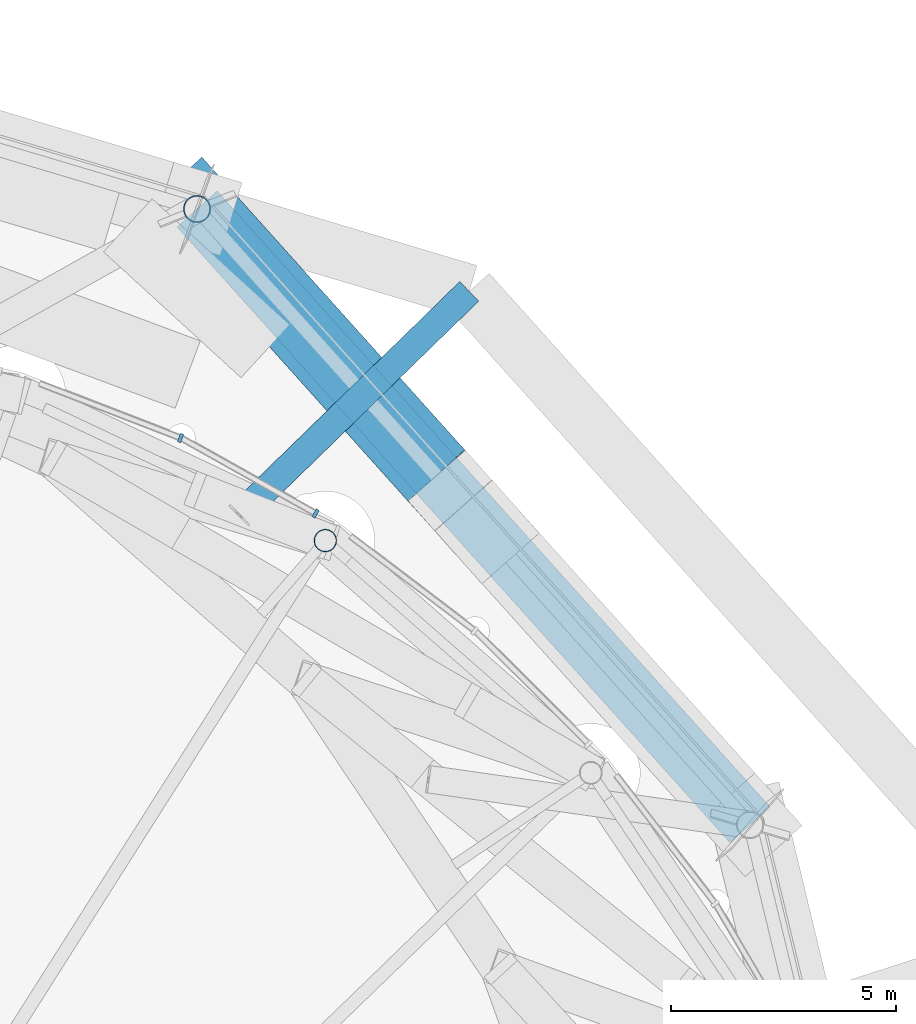
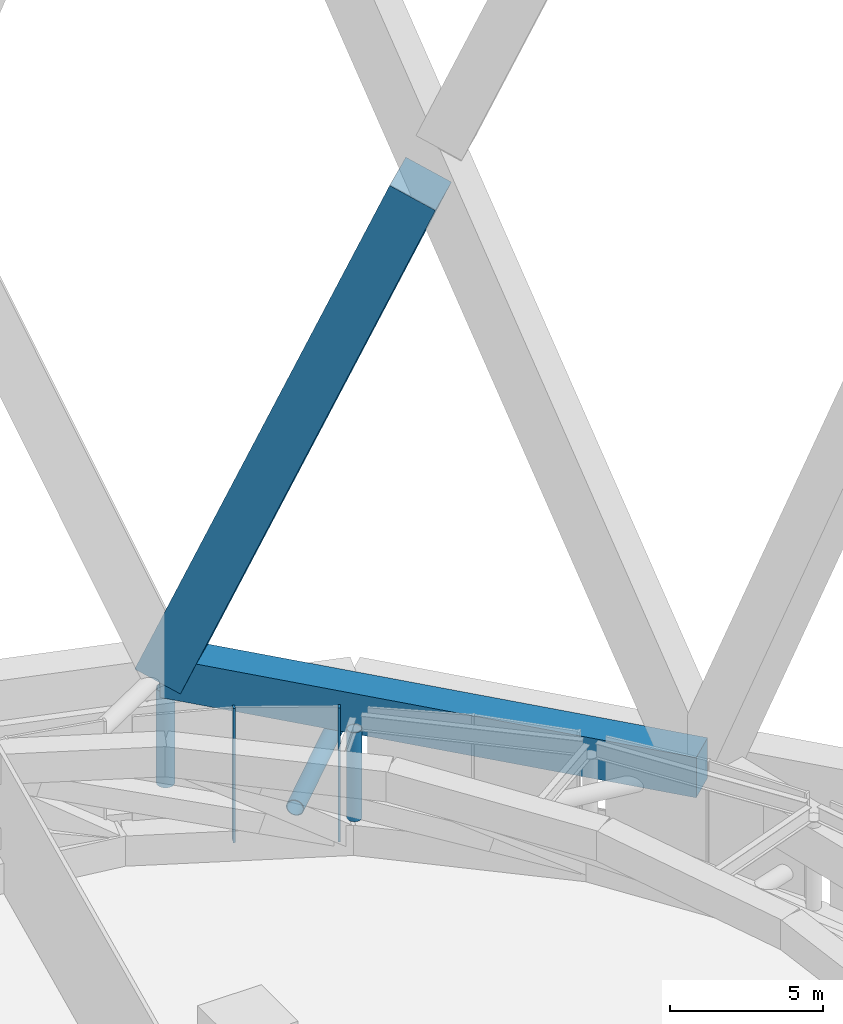
# One storey, part 36 of 51: 7 members, 2 elements without a shape of their own.
"""IFC4 building model written with IfcOpenShell, lengths in metres."""

from ifc_helpers import new_model, si_unit, direction, frame, origin, origin_2d, place, context, subcontext, project, spatial, rectangle, hollow_circle, extrude, material, layer, layer_set, material_profile, profile_set, type_object, element, aggregate, save


model = new_model("IFC4")

# Units and contexts
model_context = context("Model", 3, precision=1e-05, world=origin(), true_north=direction((0.0, 1.0)))
body_context = subcontext(model_context, "Body", "Model", "MODEL_VIEW")
ifc_project = project(units=[si_unit("LENGTHUNIT", "METRE"), si_unit("AREAUNIT", "SQUARE_METRE"), si_unit("VOLUMEUNIT", "CUBIC_METRE"), si_unit("PLANEANGLEUNIT", "RADIAN"), si_unit("MASSUNIT", "GRAM", prefix="KILO")], contexts=[model_context])

# Site, building, storey
site_placement = place(None, origin())
site = spatial("IfcSite", under=ifc_project, at=site_placement, CompositionType="ELEMENT")
building_placement = place(site_placement, origin())
building = spatial("IfcBuilding", under=site, at=building_placement, Name="Nagisa Residences", CompositionType="ELEMENT")
storey_placement = place(building_placement, frame((0.0, 0.0, 67.699951171875)))
storey = spatial("IfcBuildingStorey", under=building, at=storey_placement, Name="L16", CompositionType="ELEMENT", Elevation=67.699951171875)

# Curtain wall, member
ifc_material_1 = material(Name="Aluminium curtain wall system", Category="aluminium")
ifc_layer = layer(ifc_material_1, 0.159912109375)
ifc_layer_set = layer_set([ifc_layer], Name="CW2 CURTAIN WALL")
curtain_wall_type = type_object("IfcCurtainWallType", Name="CW2 CURTAIN WALL", PredefinedType="NOTDEFINED", material=ifc_layer_set)
curtain_wall_1_placement = place(storey_placement, origin())
curtain_wall_1 = element("IfcCurtainWall", 1, at=curtain_wall_1_placement, inside=storey, type_object=curtain_wall_type, Name="cw:CW2:L16:08", PredefinedType="NOTDEFINED")
ifc_material_2 = material(Name="Aluminium", Category="aluminium")
ifc_material_profile_1 = material_profile(ifc_material_2, rectangle(XDim=0.199951171875, YDim=0.080078125, at=origin_2d()), Name="CW2 MULLION 200x80")
ifc_profile_set_1 = profile_set([ifc_material_profile_1], Name="Aluminium")
member_type_1 = type_object("IfcMemberType", Name="CW2 MULLION 200x80", PredefinedType="MULLION", material=ifc_profile_set_1)
member_1_placement = place(storey_placement, frame((17.633544921875, 28.748779296875, 0.0), z_axis=(0.0, 0.0, 1.0), x_axis=(-0.489376918501, -0.872072377523, 0.0)))
member_1 = element("IfcMember", 2, at=member_1_placement, type_object=member_type_1, Name="CW2 mullion", PredefinedType="MULLION", context=body_context, shape_type="SweptSolid", body=[
    extrude(rectangle(XDim=0.199951171875, YDim=0.080078125, at=origin_2d()), origin(), (0.0, 0.0, 1.0), 5.340087890625),
])
aggregate(curtain_wall_1, [member_1])

curtain_wall_2_placement = place(storey_placement, origin())
curtain_wall_2 = element("IfcCurtainWall", 3, at=curtain_wall_2_placement, inside=storey, type_object=curtain_wall_type, Name="cw:CW2:L16:09", PredefinedType="NOTDEFINED")
member_2_placement = place(storey_placement, frame((14.631591796875, 30.427734375, 0.0), z_axis=(0.0, 0.0, 1.0), x_axis=(-0.360327770268, -0.932825759707, 0.0)))
member_2 = element("IfcMember", 4, at=member_2_placement, type_object=member_type_1, Name="CW2 mullion", PredefinedType="MULLION", context=body_context, shape_type="SweptSolid", body=[
    extrude(rectangle(XDim=0.199951171875, YDim=0.080078125, at=origin_2d()), origin(), (0.0, 0.0, 1.0), 5.340087890625),
])
aggregate(curtain_wall_2, [member_2])

# Members
ifc_material_3 = material(Name="Concrete C80", Category="concrete")
ifc_material_profile_2 = material_profile(ifc_material_3, rectangle(XDim=1.699951171875, YDim=1.699951171875, at=origin_2d()), Name="C80 1700x1700")
ifc_profile_set_2 = profile_set([ifc_material_profile_2], Name="Concrete C80")
member_type_2 = type_object("IfcMemberType", Name="Cage diagonal 2 C80 1700x1700", PredefinedType="BRACE", material=ifc_profile_set_2)
member_3_placement = place(storey_placement, frame((14.99755859375, 35.52001953125, 3.699951171875), z_axis=(0.255351092109, -0.284388134781, 0.924077490557), x_axis=(0.744071921623, 0.668099525111, 0.0)))
element("IfcMember", 5, at=member_3_placement, inside=storey, type_object=member_type_2, Name="mem:L16:cg2d004a", PredefinedType="BRACE", context=body_context, shape_type="SweptSolid", body=[
    extrude(rectangle(XDim=1.699951171875, YDim=1.699951171875, at=origin_2d()), origin(), (0.0, 0.0, 1.0), 22.894775390625),
])
ifc_material_4 = material(Name="Concrete C80", Category="concrete")
ifc_material_profile_3 = material_profile(ifc_material_4, rectangle(XDim=1.199951171875, YDim=1.60009765625, at=origin_2d()), Name="C80 1200x1600")
ifc_profile_set_3 = profile_set([ifc_material_profile_3], Name="Concrete C80")
member_type_3 = type_object("IfcMemberType", Name="Cage ring 2 C80 1200x1600", PredefinedType="CHORD", material=ifc_profile_set_3)
member_4_placement = place(storey_placement, frame((27.294189453125, 21.8251953125, 3.699951171875), z_axis=(-0.668102443775, 0.744069300954, 0.0), x_axis=(-0.744069300954, -0.668102443775, 0.0)))
element("IfcMember", 6, at=member_4_placement, inside=storey, type_object=member_type_3, Name="beam:L16:cg2r002", PredefinedType="CHORD", context=body_context, shape_type="SweptSolid", body=[
    extrude(rectangle(XDim=1.199951171875, YDim=1.60009765625, at=origin_2d()), origin(), (0.0, 0.0, 1.0), 18.4052734375),
])
ifc_material_5 = material(Name="Steel ASTM A572 Gr 65", Category="steel")
ifc_material_profile_4 = material_profile(ifc_material_5, hollow_circle(Radius=0.304931640625, WallThickness=0.02490234375, at=origin_2d()), Name="CHS 610x25")
ifc_profile_set_4 = profile_set([ifc_material_profile_4], Name="Steel ASTM A572 Gr 65")
member_type_4 = type_object("IfcMemberType", Name="Cage strut CHS 610x25", PredefinedType="STRUT", material=ifc_profile_set_4)
member_5_placement = place(storey_placement, frame((21.050048828125, 33.6884765625, 1.900146484375), z_axis=(-0.716389096533, -0.697700983494, 0.0), x_axis=(0.697700983494, -0.716389096533, 0.0)))
element("IfcMember", 7, at=member_5_placement, inside=storey, type_object=member_type_4, Name="mem:L16:bt1st1a03", PredefinedType="STRUT", context=body_context, shape_type="SweptSolid", body=[
    extrude(hollow_circle(Radius=0.304931640625, WallThickness=0.02490234375, at=origin_2d()), origin(), (0.0, 0.0, 1.0), 7.119873046875),
])
ifc_material_6 = material(Name="Steel ASTM A572 Gr 65", Category="steel")
ifc_material_profile_5 = material_profile(ifc_material_6, hollow_circle(Radius=0.304931640625, WallThickness=0.02490234375, at=origin_2d()), Name="CHS 610x25")
ifc_profile_set_5 = profile_set([ifc_material_profile_5], Name="Steel ASTM A572 Gr 65")
member_type_5 = type_object("IfcMemberType", Name="Deck hanger CHS 610x25", PredefinedType="POST", material=ifc_profile_set_5)
member_6_placement = place(storey_placement, frame((14.99755859375, 35.52001953125, 2.900146484375), z_axis=(0.0, 0.0, -1.0), x_axis=(1.0, 0.0, 0.0)))
element("IfcMember", 8, at=member_6_placement, inside=storey, type_object=member_type_5, Name="mem:L16:deckhanger02", PredefinedType="POST", context=body_context, shape_type="SweptSolid", body=[
    extrude(hollow_circle(Radius=0.304931640625, WallThickness=0.02490234375, at=origin_2d()), origin(), (0.0, 0.0, 1.0), 3.7900390625),
])
ifc_material_7 = material(Name="Steel ASTM A572 Gr 65", Category="steel")
ifc_material_profile_6 = material_profile(ifc_material_7, hollow_circle(Radius=0.25390625, WallThickness=0.02001953125, at=origin_2d()), Name="CHS 508x20")
ifc_profile_set_6 = profile_set([ifc_material_profile_6], Name="Steel ASTM A572 Gr 65")
member_type_6 = type_object("IfcMemberType", Name="Garden edge post CHS 508x20", PredefinedType="POST", material=ifc_profile_set_6)
member_7_placement = place(storey_placement, frame((17.85009765625, 28.145751953125, 1.199951171875), z_axis=(0.0, 0.0, 1.0), x_axis=(1.0, 0.0, 0.0)))
element("IfcMember", 9, at=member_7_placement, inside=storey, type_object=member_type_6, Name="mem:L16:gp105", PredefinedType="POST", context=body_context, shape_type="SweptSolid", body=[
    extrude(hollow_circle(Radius=0.25390625, WallThickness=0.02001953125, at=origin_2d()), origin(), (0.0, 0.0, 1.0), 3.537109375),
])

save(model, "model.ifc")
